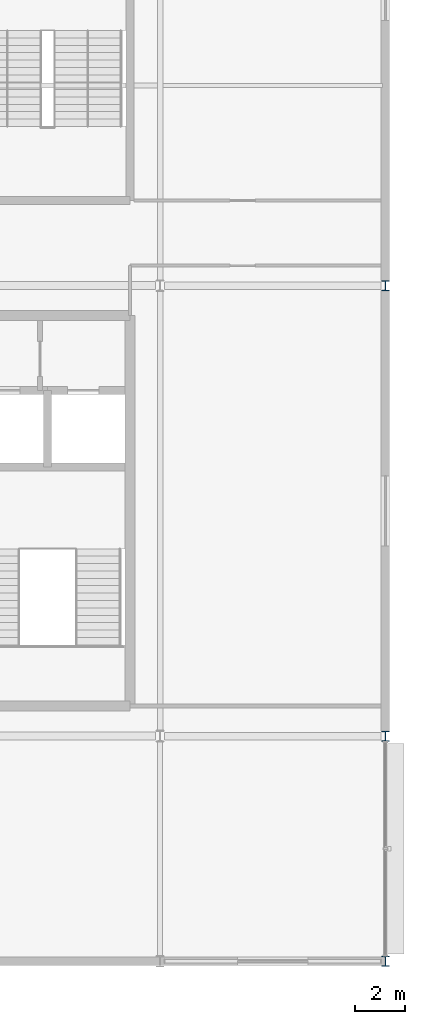
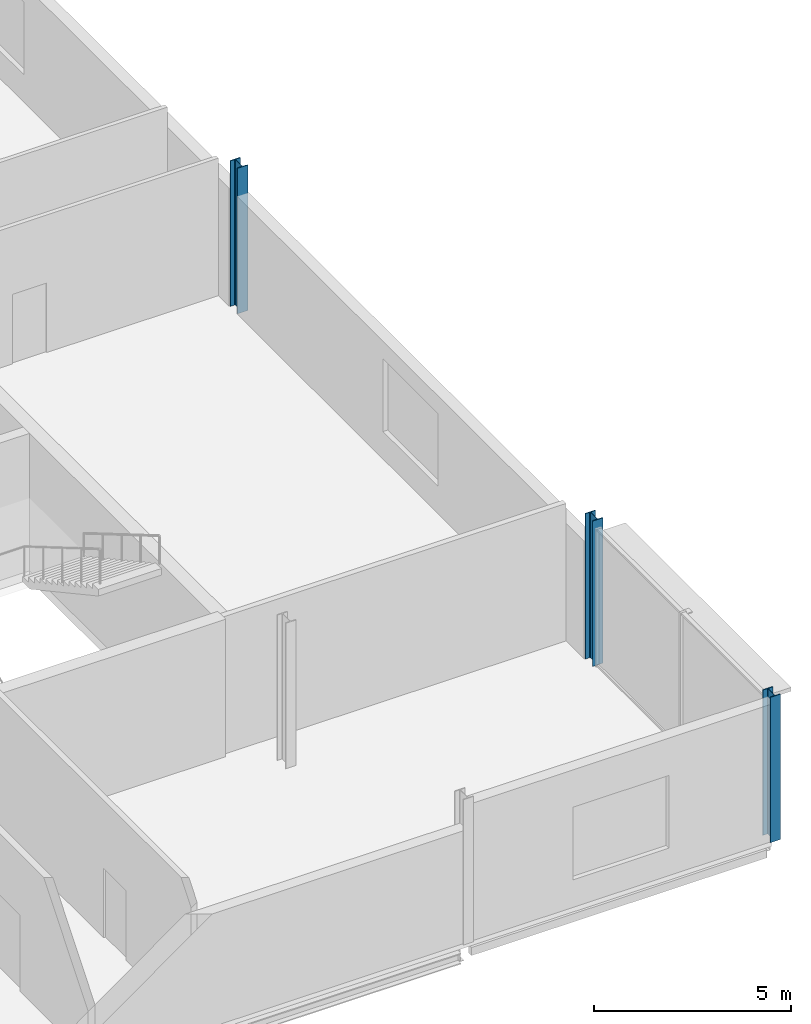
# One storey, part 10 of 73: 3 columns.
"""IFC4 building model written with IfcOpenShell, lengths in metres."""

from ifc_helpers import new_model, si_unit, direction, frame, origin, origin_2d, place, context, subcontext, project, spatial, i_section, extrude, material, material_profile, profile_set, type_object, element, save


model = new_model("IFC4")

# Units and contexts
model_context = context("Model", 3, precision=1e-05, world=origin(), true_north=direction((0.0, 1.0)))
body_context = subcontext(model_context, "Body", "Model", "MODEL_VIEW")
ifc_project = project(units=[si_unit("LENGTHUNIT", "METRE"), si_unit("AREAUNIT", "SQUARE_METRE"), si_unit("VOLUMEUNIT", "CUBIC_METRE"), si_unit("PLANEANGLEUNIT", "RADIAN"), si_unit("MASSUNIT", "GRAM", prefix="KILO")], contexts=[model_context])

# Site, building, storey
site_placement = place(None, origin())
site = spatial("IfcSite", under=ifc_project, at=site_placement, CompositionType="ELEMENT")
building_placement = place(site_placement, origin())
building = spatial("IfcBuilding", under=site, at=building_placement, Name="Kisiwana Market Hall", CompositionType="ELEMENT")
storey_placement = place(building_placement, frame((0.0, 0.0, 33.300048828125)))
storey = spatial("IfcBuildingStorey", under=building, at=storey_placement, Name="L07", CompositionType="ELEMENT", Elevation=33.300048828125)

# Columns
ifc_material = material(Name="Steel S355", Category="steel")
ifc_material_profile = material_profile(ifc_material, i_section(OverallWidth=0.300048828125, OverallDepth=0.39990234375, WebThickness=0.013427734375, FlangeThickness=0.02392578125, FilletRadius=0.027099609375, at=origin_2d()), Name="HEB 400")
ifc_profile_set = profile_set([ifc_material_profile], Name="Steel S355")
column_type = type_object("IfcColumnType", Name="COL-STL-HEB400", PredefinedType="COLUMN", material=ifc_profile_set)
for number, where, z_axis, x_axis, name in (
    (1, (198.0, 9.0, 0.0), (0.0, 0.0, 1.0), (1.0, 0.0, 0.0), "Column B/23 (L07) C-1143"),
    (2, (198.0, 18.0, 0.0), (0.0, 0.0, 1.0), (1.0, 0.0, 0.0), "Column C/23 (L07) C-1144"),
    (3, (198.0, 36.0, 0.0), (0.0, 0.0, 1.0), (1.0, 0.0, 0.0), "Column E/23 (L07) C-1145"),
):
    element("IfcColumn", number, at=place(storey_placement, frame(where, z_axis=z_axis, x_axis=x_axis)), inside=storey, type_object=column_type, Name=name, PredefinedType="COLUMN", context=body_context, shape_type="SweptSolid", body=[
        extrude(i_section(OverallWidth=0.300048828125, OverallDepth=0.39990234375, WebThickness=0.013427734375, FlangeThickness=0.02392578125, FilletRadius=0.027099609375, at=origin_2d()), origin(), (0.0, 0.0, 1.0), 4.5),
    ])

save(model, "model.ifc")
